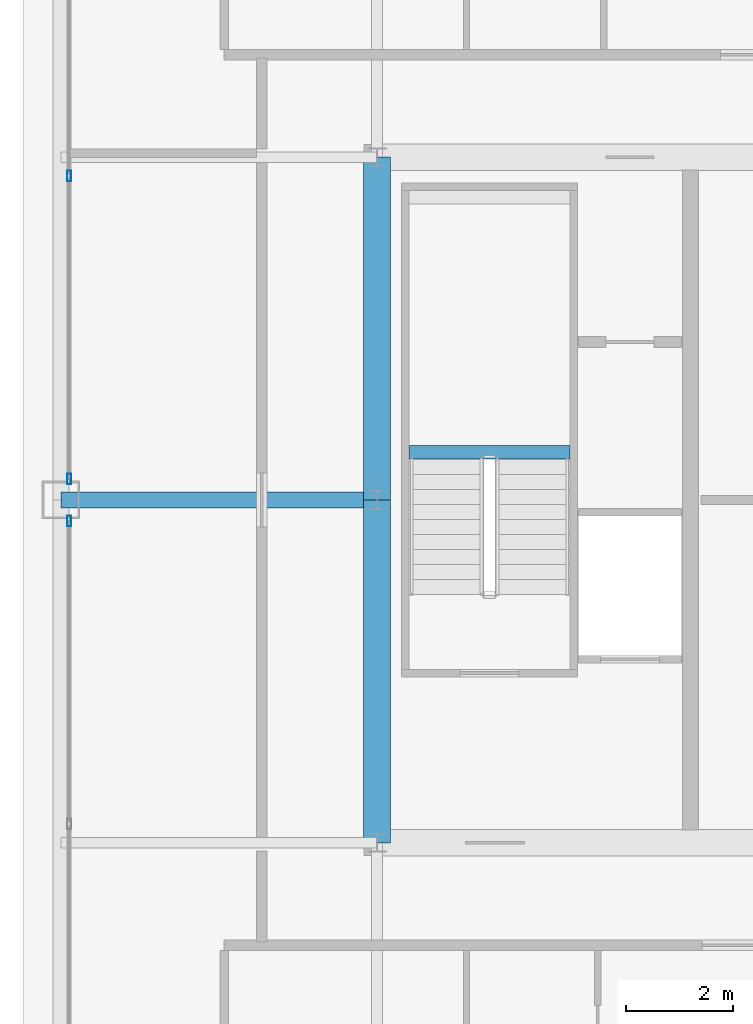
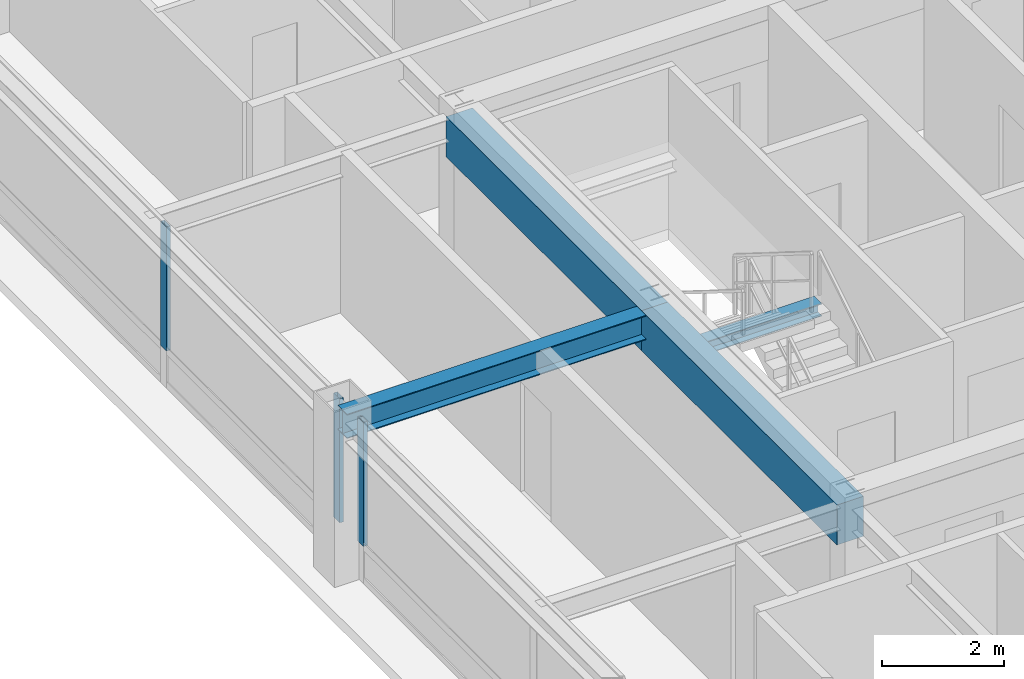
# One storey, part 11 of 35: 4 beams, 3 members, 2 elements without a shape of their own.
"""IFC4 building model written with IfcOpenShell, lengths in metres."""

from ifc_helpers import new_model, si_unit, direction, frame, origin, origin_2d, place, context, subcontext, project, spatial, rectangle, hollow_rectangle, i_section, extrude, source, transform, mapped, material, layer, layer_set, material_profile, profile_set, type_object, element, aggregate, save


model = new_model("IFC4")

# Units and contexts
model_context = context("Model", 3, precision=1e-05, world=origin(), true_north=direction((0.0, 1.0)))
body_context = subcontext(model_context, "Body", "Model", "MODEL_VIEW")
ifc_project = project(units=[si_unit("LENGTHUNIT", "METRE"), si_unit("AREAUNIT", "SQUARE_METRE"), si_unit("VOLUMEUNIT", "CUBIC_METRE"), si_unit("PLANEANGLEUNIT", "RADIAN"), si_unit("MASSUNIT", "GRAM", prefix="KILO"), si_unit("THERMODYNAMICTEMPERATUREUNIT", "KELVIN"), si_unit("POWERUNIT", "WATT")], contexts=[model_context])

# Site, building, storey
site_placement = place(None, origin())
site = spatial("IfcSite", under=ifc_project, at=site_placement, CompositionType="ELEMENT")
building_placement = place(site_placement, origin())
building = spatial("IfcBuilding", under=site, at=building_placement, Name="Yuzanri Waterfront Tower", CompositionType="ELEMENT")
storey_placement = place(building_placement, frame((0.0, 0.0, 303.10009765625)))
storey = spatial("IfcBuildingStorey", under=building, at=storey_placement, Name="L81", CompositionType="ELEMENT", Elevation=303.10009765625)

# Beams
ifc_material_1 = material(Name="Concrete C50", Category="concrete")
ifc_material_profile_1 = material_profile(ifc_material_1, rectangle(XDim=0.5, YDim=0.800048828125, at=origin_2d()), Name="RC 500x800")
ifc_profile_set_1 = profile_set([ifc_material_profile_1], Name="Concrete C50")
beam_type_1 = type_object("IfcBeamType", Name="Core Coupling Lintel Concrete C50 500x800", PredefinedType="LINTEL", material=ifc_profile_set_1)
shared_shape_1 = source(origin(), body_context, "Body", "SweptSolid", [
    extrude(rectangle(XDim=0.5, YDim=0.800048828125, at=origin_2d()), origin(), (0.0, 0.0, 1.0), 6.400146484375),
])
beam_1_placement = place(storey_placement, frame((23.800048828125, 19.39990234375, 2.81982421875), z_axis=(0.0, 1.0, 0.0), x_axis=(-1.0, 0.0, 0.0)))
element("IfcBeam", 1, at=beam_1_placement, inside=storey, type_object=beam_type_1, Name="L81 Core Tie Beam CW1", PredefinedType="LINTEL", context=body_context, shape_type="MappedRepresentation", body=[
    mapped(shared_shape_1, transform((0.0, 0.0, 0.0), scale=1.0)),
])
shared_shape_2 = source(origin(), body_context, "Body", "SweptSolid", [
    extrude(rectangle(XDim=0.5, YDim=0.800048828125, at=origin_2d()), origin(), (0.0, 0.0, 1.0), 6.39990234375),
])
beam_2_placement = place(storey_placement, frame((23.800048828125, 25.800048828125, 2.81982421875), z_axis=(0.0, 1.0, 0.0), x_axis=(-1.0, 0.0, 0.0)))
element("IfcBeam", 2, at=beam_2_placement, inside=storey, type_object=beam_type_1, Name="L81 Core Tie Beam CW2", PredefinedType="LINTEL", context=body_context, shape_type="MappedRepresentation", body=[
    mapped(shared_shape_2, transform((0.0, 0.0, 0.0), scale=1.0)),
])
ifc_material_2 = material(Name="Steel Q355B", Category="steel")
ifc_material_profile_2 = material_profile(ifc_material_2, i_section(OverallWidth=0.300048828125, OverallDepth=0.488037109375, WebThickness=0.010986328125, FlangeThickness=0.01806640625, at=origin_2d()), Name="HM 488x300x11x18")
ifc_profile_set_2 = profile_set([ifc_material_profile_2], Name="Steel Q355B")
beam_type_2 = type_object("IfcBeamType", Name="Primary Floor Girder Q355B HM 488x300", PredefinedType="BEAM", material=ifc_profile_set_2)
shared_shape_3 = source(origin(), body_context, "Body", "SweptSolid", [
    extrude(i_section(OverallWidth=0.300048828125, OverallDepth=0.488037109375, WebThickness=0.010986328125, FlangeThickness=0.01806640625, at=origin_2d()), origin(), (0.0, 0.0, 1.0), 5.900146484375),
])
beam_3_placement = place(storey_placement, frame((23.800048828125, 25.800048828125, 2.975830078125), z_axis=(-1.0, 0.0, 0.0), x_axis=(0.0, -1.0, 0.0)))
element("IfcBeam", 3, at=beam_3_placement, inside=storey, type_object=beam_type_2, Name="L81 West Grid Girder", PredefinedType="BEAM", context=body_context, shape_type="MappedRepresentation", body=[
    mapped(shared_shape_3, transform((0.0, 0.0, 0.0), scale=1.0)),
])

# Curtain wall, member
ifc_material_3 = material(Name="Anodized Architectural Bronze", Category="metal")
ifc_layer = layer(ifc_material_3, 0.159912109375)
ifc_layer_set = layer_set([ifc_layer], Name="Anodized Architectural Bronze")
curtain_wall_type = type_object("IfcCurtainWallType", Name="Anodized Bronze High-Rise Penthouse High-Wind Unitized Curtain Wall 6900", PredefinedType="NOTDEFINED", material=ifc_layer_set)
curtain_wall_1_placement = place(storey_placement, origin())
curtain_wall_1 = element("IfcCurtainWall", 4, at=curtain_wall_1_placement, inside=storey, type_object=curtain_wall_type, Name="L81 Curtain Wall CW-L81-WL", PredefinedType="NOTDEFINED")
ifc_material_4 = material(Name="Anodized Architectural Bronze", Category="metal")
ifc_material_profile_3 = material_profile(ifc_material_4, hollow_rectangle(XDim=0.074951171875, YDim=0.199951171875, WallThickness=0.00390625, at=origin_2d()), Name="CWM 75x200")
ifc_profile_set_3 = profile_set([ifc_material_profile_3], Name="Anodized Architectural Bronze")
member_type = type_object("IfcMemberType", Name="Anodized Bronze Primary Curtain-Wall Mullion 75x200", PredefinedType="MULLION", material=ifc_profile_set_3)
shared_shape_4 = source(origin(), body_context, "Body", "SweptSolid", [
    extrude(hollow_rectangle(XDim=0.074951171875, YDim=0.199951171875, WallThickness=0.00390625, at=origin_2d()), origin(), (0.0, 0.0, 1.0), 2.47705078125),
])
member_1_placement = place(storey_placement, frame((18.050048828125, 25.409912109375, 0.742919921875), z_axis=(0.0, 0.0, 1.0), x_axis=(1.0, 0.0, 0.0)))
member_1 = element("IfcMember", 5, at=member_1_placement, type_object=member_type, Name="CW-L81-WL Upper Mullion 02", PredefinedType="MULLION", context=body_context, shape_type="MappedRepresentation", body=[
    mapped(shared_shape_4, transform((0.0, 0.0, 0.0), scale=1.0)),
])
aggregate(curtain_wall_1, [member_1])

# Curtain wall, members
curtain_wall_2_placement = place(storey_placement, origin())
curtain_wall_2 = element("IfcCurtainWall", 6, at=curtain_wall_2_placement, inside=storey, type_object=curtain_wall_type, Name="L81 Curtain Wall CW-L81-WR", PredefinedType="NOTDEFINED")
member_2_placement = place(storey_placement, frame((18.050048828125, 26.18994140625, 0.742919921875), z_axis=(0.0, 0.0, 1.0), x_axis=(1.0, 0.0, 0.0)))
member_2 = element("IfcMember", 7, at=member_2_placement, type_object=member_type, Name="CW-L81-WR Upper Mullion 00", PredefinedType="MULLION", context=body_context, shape_type="MappedRepresentation", body=[
    mapped(shared_shape_4, transform((0.0, 0.0, 0.0), scale=1.0)),
])
member_3_placement = place(storey_placement, frame((18.050048828125, 31.85009765625, 0.742919921875), z_axis=(0.0, 0.0, 1.0), x_axis=(1.0, 0.0, 0.0)))
member_3 = element("IfcMember", 8, at=member_3_placement, type_object=member_type, Name="CW-L81-WR Upper Mullion 01", PredefinedType="MULLION", context=body_context, shape_type="MappedRepresentation", body=[
    mapped(shared_shape_4, transform((0.0, 0.0, 0.0), scale=1.0)),
])
aggregate(curtain_wall_2, [member_2, member_3])

# Beam
ifc_material_5 = material(Name="Steel Q355B", Category="steel")
ifc_material_profile_4 = material_profile(ifc_material_5, i_section(OverallWidth=0.25, OverallDepth=0.25, WebThickness=0.009033203125, FlangeThickness=0.013916015625, at=origin_2d()), Name="HW 250x250x9x14")
ifc_profile_set_4 = profile_set([ifc_material_profile_4], Name="Steel Q355B")
beam_type_3 = type_object("IfcBeamType", Name="Stair Landing Support Beam Q355B HW 250x250", PredefinedType="BEAM", material=ifc_profile_set_4)
shared_shape_5 = source(origin(), body_context, "Body", "SweptSolid", [
    extrude(i_section(OverallWidth=0.25, OverallDepth=0.25, WebThickness=0.009033203125, FlangeThickness=0.013916015625, at=origin_2d()), origin(), (0.0, 0.0, 1.0), 3.0),
])
beam_4_placement = place(storey_placement, frame((24.39990234375, 26.68994140625, 1.4248046875), z_axis=(1.0, 0.0, 0.0), x_axis=(0.0, 1.0, 0.0)))
element("IfcBeam", 9, at=beam_4_placement, inside=storey, type_object=beam_type_3, Name="L81 Stair Landing Support Beam ST-01-L81-L1-1", PredefinedType="BEAM", context=body_context, shape_type="MappedRepresentation", body=[
    mapped(shared_shape_5, transform((0.0, 0.0, 0.0), scale=1.0)),
])

save(model, "model.ifc")
